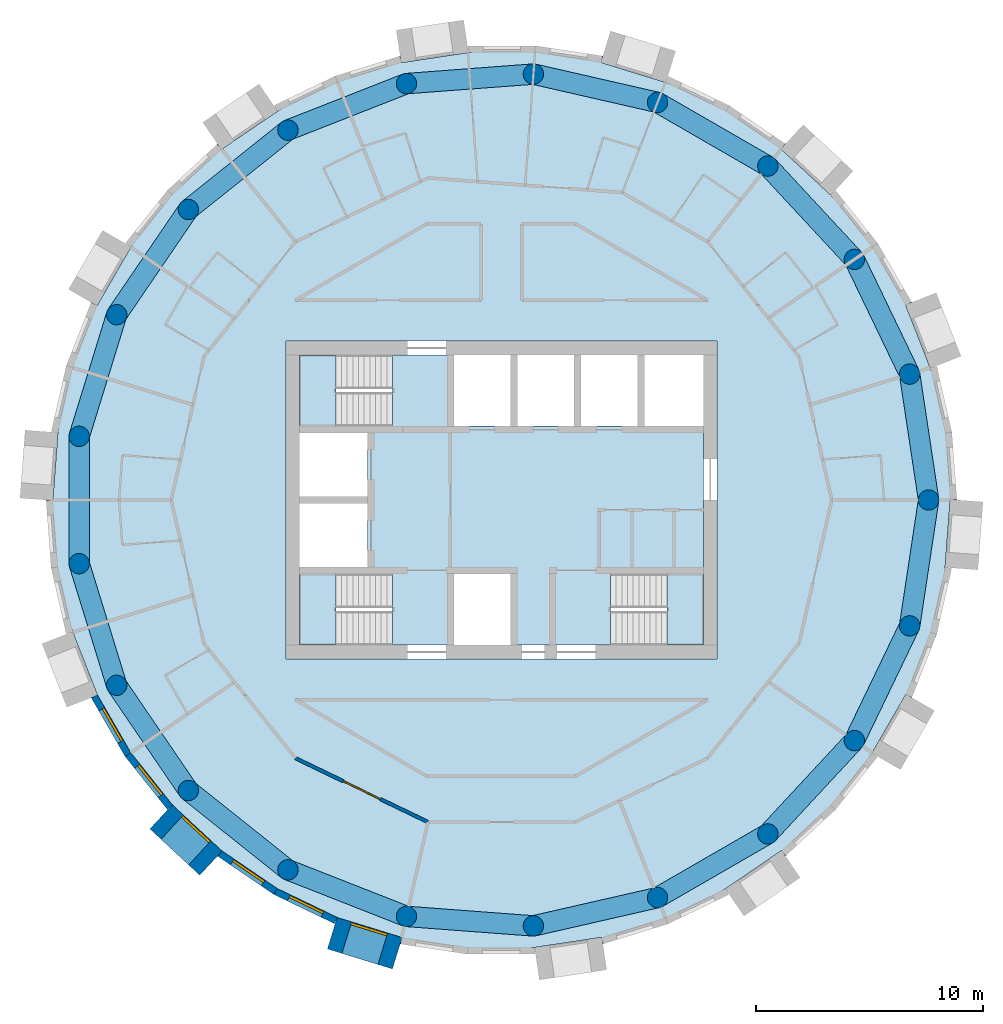
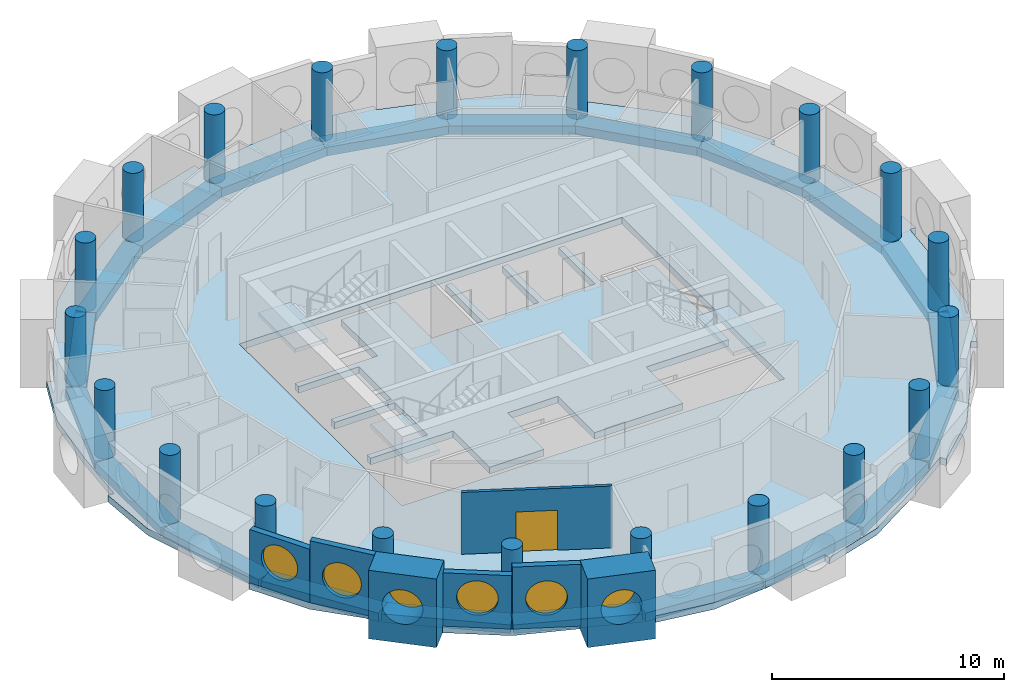
# One storey, part 1 of 12: 21 beams, 21 columns, 7 walls, 6 windows, 5 slabs, 1 door, 7 openings, 3 elements without a shape of their own.
"""IFC4 building model written with IfcOpenShell, lengths in metres."""

import ifcopenshell
import ifcopenshell.guid

model = None  # the IFC model being written
_history = None  # IfcOwnerHistory: only IFC2X3 demands one
_inside = {}  # id of a spatial element -> (the spatial element, [elements in it])
_under = {}  # id of a project, library or spatial element -> (it, [spatial elements below it])
_declared = {}  # id of a project -> (the project, [libraries it declares])
_typed = {}  # id of a type object -> (the type object, [elements of that type])
_made_of = {}  # id of a material, layer set ... -> (it, [elements and type objects made of it])


def new_model(schema):
    """Start an empty IFC model of exactly this schema.

    Asked for "IFC4X3", IfcOpenShell would pick the latest addendum, in which some entities
    have other attributes; the version numbers below select the first issue.
    IFC2X3 requires an IfcOwnerHistory on every rooted entity: one is made here for all.
    """
    global model, _history
    if schema == "IFC4X3":
        model = ifcopenshell.file(schema_version=(4, 3, 0, 0))
    else:
        model = ifcopenshell.file(schema=schema)
    _inside.clear()
    _under.clear()
    _declared.clear()
    _typed.clear()
    _made_of.clear()
    _history = None
    if model.schema == "IFC2X3":
        org = make("IfcOrganization", Name="unknown")
        user = make(
            "IfcPersonAndOrganization",
            ThePerson=make("IfcPerson", FamilyName="unknown"),
            TheOrganization=org,
        )
        app = make(
            "IfcApplication",
            ApplicationDeveloper=org,
            Version="unknown",
            ApplicationFullName="unknown",
            ApplicationIdentifier="unknown",
        )
        _history = make(
            "IfcOwnerHistory",
            OwningUser=user,
            OwningApplication=app,
            ChangeAction="ADDED",
            CreationDate=0,
        )
    return model


def make(cls, **values):
    """One entity of the class cls with the attributes given. An attribute that is None is left unset."""
    return model.create_entity(
        cls, **{name: value for name, value in values.items() if value is not None}
    )


def rooted(cls, **values):
    """An entity with a GlobalId (a new one), such as an element, a storey or a relation."""
    return make(cls, GlobalId=ifcopenshell.guid.new(), OwnerHistory=_history, **values)


def si_unit(unit_type, name, prefix=None):
    """IfcSIUnit, for example si_unit("LENGTHUNIT", "METRE", prefix="MILLI")."""
    return make("IfcSIUnit", UnitType=unit_type, Prefix=prefix, Name=name)


def assignment(units):
    """IfcUnitAssignment: the units of a project."""
    return None if units is None else make("IfcUnitAssignment", Units=units)


def point(xyz):
    """IfcCartesianPoint."""
    return None if xyz is None else make("IfcCartesianPoint", Coordinates=xyz)


def direction(xyz):
    """IfcDirection."""
    return None if xyz is None else make("IfcDirection", DirectionRatios=xyz)


def frame(location, z_axis=None, x_axis=None):
    """IfcAxis2Placement3D, a coordinate frame: its origin and axes. An axis left out is left unset."""
    return make(
        "IfcAxis2Placement3D",
        Location=point(location),
        Axis=direction(z_axis),
        RefDirection=direction(x_axis),
    )


def frame_2d(location, x_axis=None):
    """IfcAxis2Placement2D, a coordinate frame in the plane: its origin and x axis."""
    return make(
        "IfcAxis2Placement2D", Location=point(location), RefDirection=direction(x_axis)
    )


def origin():
    """The frame at (0, 0, 0) with its axes left unset."""
    return frame((0.0, 0.0, 0.0))


def origin_2d():
    """The frame at (0, 0) in the plane with its x axis left unset."""
    return frame_2d((0.0, 0.0))


def place(relative_to, where):
    """IfcLocalPlacement: puts the frame where relative to a parent placement (None: the world)."""
    return make(
        "IfcLocalPlacement", PlacementRelTo=relative_to, RelativePlacement=where
    )


def context(
    kind, dimensions, precision=None, world=None, true_north=None, identifier=None
):
    """IfcGeometricRepresentationContext, for example the 3D "Model" context."""
    return make(
        "IfcGeometricRepresentationContext",
        ContextIdentifier=identifier,
        ContextType=kind,
        CoordinateSpaceDimension=dimensions,
        Precision=precision,
        WorldCoordinateSystem=world,
        TrueNorth=true_north,
    )


def subcontext(parent, identifier, kind, view, scale=None):
    """IfcGeometricRepresentationSubContext, for example "Body" below "Model"."""
    return make(
        "IfcGeometricRepresentationSubContext",
        ContextIdentifier=identifier,
        ContextType=kind,
        ParentContext=parent,
        TargetScale=scale,
        TargetView=view,
    )


def project(units=None, contexts=None):
    """IfcProject with its units and contexts."""
    return rooted(
        "IfcProject",
        Name="project",
        RepresentationContexts=contexts,
        UnitsInContext=assignment(units),
    )


def spatial(cls, under=None, at=None, **own):
    """A site, building, storey or space (cls), placed at a placement, below another one or the project."""
    s = rooted(cls, ObjectPlacement=at, **own)
    if under is not None:
        _under.setdefault(under.id(), (under, []))[1].append(s)
    return s


def polyline(points):
    """IfcPolyline through the points."""
    return make("IfcPolyline", Points=[point(p) for p in points])


def profile(cls, at=None, kind="AREA", **sizes):
    """A parametric profile (cls). Its sizes go by their IFC names, for example OverallWidth=200.0."""
    return make(cls, ProfileType=kind, Position=at, **sizes)


def rectangle(**sizes):
    """IfcRectangleProfileDef."""
    return profile("IfcRectangleProfileDef", **sizes)


def circle(**sizes):
    """IfcCircleProfileDef."""
    return profile("IfcCircleProfileDef", **sizes)


def outline(outer, holes=None, kind="AREA"):
    """IfcArbitraryClosedProfileDef: a profile drawn as a closed curve; with holes, ...WithVoids."""
    if holes is None:
        return make("IfcArbitraryClosedProfileDef", ProfileType=kind, OuterCurve=outer)
    return make(
        "IfcArbitraryProfileDefWithVoids",
        ProfileType=kind,
        OuterCurve=outer,
        InnerCurves=holes,
    )


def extrude(swept, where, along, depth):
    """IfcExtrudedAreaSolid: the profile swept, set in the frame where, extruded along a direction by depth."""
    return make(
        "IfcExtrudedAreaSolid",
        SweptArea=swept,
        Position=where,
        ExtrudedDirection=direction(along),
        Depth=depth,
    )


def shape(context_of_items, identifier, shape_type, items):
    """IfcShapeRepresentation: the items that make up one representation, for example the "Body"."""
    return make(
        "IfcShapeRepresentation",
        ContextOfItems=context_of_items,
        RepresentationIdentifier=identifier,
        RepresentationType=shape_type,
        Items=items,
    )


def material(Name=None, Category=None):
    """IfcMaterial."""
    return make("IfcMaterial", Name=Name, Category=Category)


def layer(
    of_material, thickness, ventilated=None, Name=None, Category=None, Priority=None
):
    """IfcMaterialLayer: one layer of a wall or slab, of a material (None: an air gap)."""
    return make(
        "IfcMaterialLayer",
        Material=of_material,
        LayerThickness=thickness,
        IsVentilated=ventilated,
        Name=Name,
        Category=Category,
        Priority=Priority,
    )


def layer_set(layers, Name=None):
    """IfcMaterialLayerSet."""
    return make("IfcMaterialLayerSet", MaterialLayers=layers, LayerSetName=Name)


def material_profile(
    of_material, cross_section, Name=None, Category=None, Priority=None
):
    """IfcMaterialProfile: a cross section and its material."""
    return make(
        "IfcMaterialProfile",
        Name=Name,
        Material=of_material,
        Profile=cross_section,
        Priority=Priority,
        Category=Category,
    )


def profile_set(profiles, Name=None, composite=None):
    """IfcMaterialProfileSet."""
    return make(
        "IfcMaterialProfileSet",
        Name=Name,
        MaterialProfiles=profiles,
        CompositeProfile=composite,
    )


def made_of(thing, what):
    """Note that an element or type object is made of a material, layer set ...; save() writes the relation."""
    if what is not None:
        _made_of.setdefault(what.id(), (what, []))[1].append(thing)
    return thing


def type_object(cls, material=None, **own):
    """A type object (cls), such as IfcWallType, which elements share."""
    return made_of(rooted(cls, **own), material)


def element(
    cls,
    number,
    at=None,
    inside=None,
    cuts=None,
    type_object=None,
    material=None,
    context=None,
    identifier="Body",
    shape_type=None,
    held_by="IfcProductDefinitionShape",
    body=None,
    shapes=None,
    **own,
):
    """One element of the class cls, such as IfcWall. Its Tag is "e" and its number.

    at: its placement. inside: the storey or other place that contains it. cuts: it is an
    opening in that element (IfcRelVoidsElement). A single representation is given by context,
    identifier, shape_type and body (its items); several are given by shapes. held_by: the class
    of the entity that holds the representations. save() writes the other relations.
    """
    e = rooted(cls, Tag="e%d" % number, ObjectPlacement=at, **own)
    if body is not None:
        shapes = [shape(context, identifier, shape_type, body)]
    if shapes is not None:
        e.Representation = make(held_by, Representations=shapes)
    if inside is not None:
        _inside.setdefault(inside.id(), (inside, []))[1].append(e)
    if cuts is not None:
        rooted(
            "IfcRelVoidsElement", RelatingBuildingElement=cuts, RelatedOpeningElement=e
        )
    if type_object is not None:
        _typed.setdefault(type_object.id(), (type_object, []))[1].append(e)
    return made_of(e, material)


def fill(opening, filler):
    """IfcRelFillsElement: the door or window that sits in an opening."""
    return rooted(
        "IfcRelFillsElement",
        RelatingOpeningElement=opening,
        RelatedBuildingElement=filler,
    )


def aggregate(whole, parts):
    """IfcRelAggregates: a whole, such as a stair, and the parts it consists of."""
    return rooted("IfcRelAggregates", RelatingObject=whole, RelatedObjects=parts)


def save(model, path):
    """Write the relations noted so far, then the file.

    IfcRelAggregates (storeys below a building ...), IfcRelContainedInSpatialStructure (elements
    in a storey), IfcRelDefinesByType, IfcRelAssociatesMaterial and IfcRelDeclares: one each for
    every whole, place, type object, material and project.
    """
    for whole, parts in _under.values():
        aggregate(whole, parts)
    for where, things in _inside.values():
        rooted(
            "IfcRelContainedInSpatialStructure",
            RelatedElements=things,
            RelatingStructure=where,
        )
    for kind, things in _typed.values():
        rooted("IfcRelDefinesByType", RelatedObjects=things, RelatingType=kind)
    for what, things in _made_of.values():
        rooted("IfcRelAssociatesMaterial", RelatedObjects=things, RelatingMaterial=what)
    for by, libraries in _declared.values():
        rooted("IfcRelDeclares", RelatingContext=by, RelatedDefinitions=libraries)
    model.write(path)


model = new_model("IFC4")

# Units and contexts
model_context = context("Model", 3, precision=1e-05, world=origin(), true_north=direction((0.0, 1.0)))
body_context = subcontext(model_context, "Body", "Model", "MODEL_VIEW")
ifc_project = project(units=[si_unit("LENGTHUNIT", "METRE"), si_unit("AREAUNIT", "SQUARE_METRE"), si_unit("VOLUMEUNIT", "CUBIC_METRE"), si_unit("PLANEANGLEUNIT", "RADIAN"), si_unit("MASSUNIT", "GRAM", prefix="KILO")], contexts=[model_context])

# Site, building, storey
site_placement = place(None, origin())
site = spatial("IfcSite", under=ifc_project, at=site_placement, CompositionType="ELEMENT")
building_placement = place(site_placement, origin())
building = spatial("IfcBuilding", under=site, at=building_placement, Name="Tracery Tower", CompositionType="ELEMENT")
storey_placement = place(building_placement, frame((0.0, 0.0, 305.39990234375)))
storey = spatial("IfcBuildingStorey", under=building, at=storey_placement, Name="L79", CompositionType="ELEMENT", Elevation=305.39990234375)

# Columns
ifc_material_1 = material(Name="Concrete C40/50", Category="concrete")
ifc_material_profile_1 = material_profile(ifc_material_1, circle(Radius=0.449951171875, at=origin_2d()), Name="RC D900")
ifc_profile_set_1 = profile_set([ifc_material_profile_1], Name="Concrete C40/50")
column_type = type_object("IfcColumnType", Name="Ring 2 column 900", PredefinedType="COLUMN", material=ifc_profile_set_1)
for number, where, z_axis, x_axis, name in (
    (1, (18.822265625, 0.0, 0.0), (0.0, 0.0, 1.0), (1.0, 0.0, 0.0), "Ring 2 column 00 at L79"),
    (2, (17.986083984375, 5.5478515625, 0.0), (0.0, 0.0, 1.0), (1.0, 0.0, 0.0), "Ring 2 column 01 at L79"),
    (3, (15.551513671875, 10.602783203125, 0.0), (0.0, 0.0, 1.0), (1.0, 0.0, 0.0), "Ring 2 column 02 at L79"),
    (4, (11.7353515625, 14.7158203125, 0.0), (0.0, 0.0, 1.0), (1.0, 0.0, 0.0), "Ring 2 column 03 at L79"),
    (5, (6.87646484375, 17.52099609375, 0.0), (0.0, 0.0, 1.0), (1.0, 0.0, 0.0), "Ring 2 column 04 at L79"),
    (6, (1.406494140625, 18.76953125, 0.0), (0.0, 0.0, 1.0), (1.0, 0.0, 0.0), "Ring 2 column 05 at L79"),
    (7, (-4.188232421875, 18.350341796875, 0.0), (0.0, 0.0, 1.0), (1.0, 0.0, 0.0), "Ring 2 column 06 at L79"),
    (8, (-9.4111328125, 16.300537109375, 0.0), (0.0, 0.0, 1.0), (1.0, 0.0, 0.0), "Ring 2 column 07 at L79"),
    (9, (-13.797607421875, 12.802490234375, 0.0), (0.0, 0.0, 1.0), (1.0, 0.0, 0.0), "Ring 2 column 08 at L79"),
    (10, (-16.958251953125, 8.16650390625, 0.0), (0.0, 0.0, 1.0), (1.0, 0.0, 0.0), "Ring 2 column 09 at L79"),
    (11, (-18.612060546875, 2.805419921875, 0.0), (0.0, 0.0, 1.0), (1.0, 0.0, 0.0), "Ring 2 column 10 at L79"),
    (12, (-18.612060546875, -2.805419921875, 0.0), (0.0, 0.0, 1.0), (1.0, 0.0, 0.0), "Ring 2 column 11 at L79"),
    (13, (-16.958251953125, -8.166748046875, 0.0), (0.0, 0.0, 1.0), (1.0, 0.0, 0.0), "Ring 2 column 12 at L79"),
    (14, (-13.797607421875, -12.80224609375, 0.0), (0.0, 0.0, 1.0), (1.0, 0.0, 0.0), "Ring 2 column 13 at L79"),
    (15, (-9.4111328125, -16.300537109375, 0.0), (0.0, 0.0, 1.0), (1.0, 0.0, 0.0), "Ring 2 column 14 at L79"),
    (16, (-4.188232421875, -18.350341796875, 0.0), (0.0, 0.0, 1.0), (1.0, 0.0, 0.0), "Ring 2 column 15 at L79"),
    (17, (1.406494140625, -18.76953125, 0.0), (0.0, 0.0, 1.0), (1.0, 0.0, 0.0), "Ring 2 column 16 at L79"),
    (18, (6.87646484375, -17.52099609375, 0.0), (0.0, 0.0, 1.0), (1.0, 0.0, 0.0), "Ring 2 column 17 at L79"),
    (19, (11.7353515625, -14.7158203125, 0.0), (0.0, 0.0, 1.0), (1.0, 0.0, 0.0), "Ring 2 column 18 at L79"),
    (20, (15.551513671875, -10.602783203125, 0.0), (0.0, 0.0, 1.0), (1.0, 0.0, 0.0), "Ring 2 column 19 at L79"),
    (21, (17.986083984375, -5.5478515625, 0.0), (0.0, 0.0, 1.0), (1.0, 0.0, 0.0), "Ring 2 column 20 at L79"),
):
    element("IfcColumn", number, at=place(storey_placement, frame(where, z_axis=z_axis, x_axis=x_axis)), inside=storey, type_object=column_type, Name=name, PredefinedType="COLUMN", context=body_context, shape_type="SweptSolid", body=[
        extrude(circle(Radius=0.449951171875, at=origin_2d()), origin(), (0.0, 0.0, 1.0), 3.60009765625),
    ])

# Beams
ifc_material_2 = material(Name="Concrete C40/50", Category="concrete")
ifc_material_profile_2 = material_profile(ifc_material_2, rectangle(XDim=0.89990234375, YDim=0.449951171875, at=origin_2d()), Name="RC 900x450")
ifc_profile_set_2 = profile_set([ifc_material_profile_2], Name="Concrete C40/50")
beam_type = type_object("IfcBeamType", Name="Perimeter band beam 900x450", PredefinedType="BEAM", material=ifc_profile_set_2)
for number, where, z_axis, x_axis, name in (
    (22, (18.822265625, 0.0, -0.574951171875), (-0.149038355855, 0.988831415603, 0.0), (-0.988831415603, -0.149038355855, 0.0), "Perimeter beam 2.00 under L79"),
    (23, (17.986083984375, 5.5478515625, -0.574951171875), (-0.433918973155, 0.900951899235, 0.0), (-0.900951899235, -0.433918973155, 0.0), "Perimeter beam 2.01 under L79"),
):
    element("IfcBeam", number, at=place(storey_placement, frame(where, z_axis=z_axis, x_axis=x_axis)), inside=storey, type_object=beam_type, Name=name, PredefinedType="BEAM", context=body_context, shape_type="SweptSolid", body=[
        extrude(rectangle(XDim=0.89990234375, YDim=0.449951171875, at=origin_2d()), origin(), (0.0, 0.0, 1.0), 5.610595703125),
    ])
beam_1_placement = place(storey_placement, frame((15.551513671875, 10.602783203125, -0.574951171875), z_axis=(-0.680155630824, 0.733067744386, 0.0), x_axis=(-0.733067744386, -0.680155630824, 0.0)))
element("IfcBeam", 24, at=beam_1_placement, inside=storey, type_object=beam_type, Name="Perimeter beam 2.02 under L79", PredefinedType="BEAM", context=body_context, shape_type="SweptSolid", body=[
    extrude(rectangle(XDim=0.89990234375, YDim=0.449951171875, at=origin_2d()), origin(), (0.0, 0.0, 1.0), 5.61083984375),
])
for number, where, z_axis, x_axis, name in (
    (25, (11.7353515625, 14.7158203125, -0.574951171875), (-0.866033412818, 0.49998612769, 0.0), (-0.49998612769, -0.866033412818, 0.0), "Perimeter beam 2.03 under L79"),
    (26, (6.87646484375, 17.52099609375, -0.574951171875), (-0.974925977366, 0.222529410768, 0.0), (-0.222529410768, -0.974925977366, 0.0), "Perimeter beam 2.04 under L79"),
):
    element("IfcBeam", number, at=place(storey_placement, frame(where, z_axis=z_axis, x_axis=x_axis)), inside=storey, type_object=beam_type, Name=name, PredefinedType="BEAM", context=body_context, shape_type="SweptSolid", body=[
        extrude(rectangle(XDim=0.89990234375, YDim=0.449951171875, at=origin_2d()), origin(), (0.0, 0.0, 1.0), 5.610595703125),
    ])
beam_2_placement = place(storey_placement, frame((1.406494140625, 18.76953125, -0.574951171875), z_axis=(-0.997204824387, -0.07471638521, 0.0), x_axis=(0.07471638521, -0.997204824387, 0.0)))
element("IfcBeam", 27, at=beam_2_placement, inside=storey, type_object=beam_type, Name="Perimeter beam 2.05 under L79", PredefinedType="BEAM", context=body_context, shape_type="SweptSolid", body=[
    extrude(rectangle(XDim=0.89990234375, YDim=0.449951171875, at=origin_2d()), origin(), (0.0, 0.0, 1.0), 5.6103515625),
])
beam_3_placement = place(storey_placement, frame((-4.188232421875, 18.350341796875, -0.574951171875), z_axis=(-0.930875728468, -0.365335979817, 0.0), x_axis=(0.365335979817, -0.930875728468, 0.0)))
element("IfcBeam", 28, at=beam_3_placement, inside=storey, type_object=beam_type, Name="Perimeter beam 2.06 under L79", PredefinedType="BEAM", context=body_context, shape_type="SweptSolid", body=[
    extrude(rectangle(XDim=0.89990234375, YDim=0.449951171875, at=origin_2d()), origin(), (0.0, 0.0, 1.0), 5.61083984375),
])
beam_4_placement = place(storey_placement, frame((-9.4111328125, 16.300537109375, -0.574951171875), z_axis=(-0.781835817725, -0.623484365579, 0.0), x_axis=(0.623484365579, -0.781835817725, 0.0)))
element("IfcBeam", 29, at=beam_4_placement, inside=storey, type_object=beam_type, Name="Perimeter beam 2.07 under L79", PredefinedType="BEAM", context=body_context, shape_type="SweptSolid", body=[
    extrude(rectangle(XDim=0.89990234375, YDim=0.449951171875, at=origin_2d()), origin(), (0.0, 0.0, 1.0), 5.610595703125),
])
beam_5_placement = place(storey_placement, frame((-13.797607421875, 12.802490234375, -0.574951171875), z_axis=(-0.563305770578, -0.826248515178, 0.0), x_axis=(0.826248515178, -0.563305770578, 0.0)))
element("IfcBeam", 30, at=beam_5_placement, inside=storey, type_object=beam_type, Name="Perimeter beam 2.08 under L79", PredefinedType="BEAM", context=body_context, shape_type="SweptSolid", body=[
    extrude(rectangle(XDim=0.89990234375, YDim=0.449951171875, at=origin_2d()), origin(), (0.0, 0.0, 1.0), 5.61083984375),
])
beam_6_placement = place(storey_placement, frame((-16.958251953125, 8.16650390625, -0.574951171875), z_axis=(-0.294776851839, -0.955566118916, 0.0), x_axis=(0.955566118916, -0.294776851839, 0.0)))
element("IfcBeam", 31, at=beam_6_placement, inside=storey, type_object=beam_type, Name="Perimeter beam 2.09 under L79", PredefinedType="BEAM", context=body_context, shape_type="SweptSolid", body=[
    extrude(rectangle(XDim=0.89990234375, YDim=0.449951171875, at=origin_2d()), origin(), (0.0, 0.0, 1.0), 5.6103515625),
])
beam_7_placement = place(storey_placement, frame((-18.612060546875, 2.805419921875, -0.574951171875), z_axis=(0.0, -1.0, 0.0), x_axis=(1.0, 0.0, 0.0)))
element("IfcBeam", 32, at=beam_7_placement, inside=storey, type_object=beam_type, Name="Perimeter beam 2.10 under L79", PredefinedType="BEAM", context=body_context, shape_type="SweptSolid", body=[
    extrude(rectangle(XDim=0.89990234375, YDim=0.449951171875, at=origin_2d()), origin(), (0.0, 0.0, 1.0), 5.61083984375),
])
for number, where, z_axis, x_axis, name in (
    (33, (-18.612060546875, -2.805419921875, -0.574951171875), (0.294764594813, -0.955569899926, 0.0), (0.955569899926, 0.294764594813, 0.0), "Perimeter beam 2.11 under L79"),
    (34, (-16.958251953125, -8.166748046875, -0.574951171875), (0.5633462764, -0.826220898348, 0.0), (0.826220898348, 0.5633462764, 0.0), "Perimeter beam 2.12 under L79"),
    (35, (-13.797607421875, -12.80224609375, -0.574951171875), (0.781814605872, -0.623510963853, 0.0), (0.623510963853, 0.781814605872, 0.0), "Perimeter beam 2.13 under L79"),
):
    element("IfcBeam", number, at=place(storey_placement, frame(where, z_axis=z_axis, x_axis=x_axis)), inside=storey, type_object=beam_type, Name=name, PredefinedType="BEAM", context=body_context, shape_type="SweptSolid", body=[
        extrude(rectangle(XDim=0.89990234375, YDim=0.449951171875, at=origin_2d()), origin(), (0.0, 0.0, 1.0), 5.610595703125),
    ])
beam_8_placement = place(storey_placement, frame((-9.4111328125, -16.300537109375, -0.574951171875), z_axis=(0.930875728468, -0.365335979817, 0.0), x_axis=(0.365335979817, 0.930875728468, 0.0)))
element("IfcBeam", 36, at=beam_8_placement, inside=storey, type_object=beam_type, Name="Perimeter beam 2.14 under L79", PredefinedType="BEAM", context=body_context, shape_type="SweptSolid", body=[
    extrude(rectangle(XDim=0.89990234375, YDim=0.449951171875, at=origin_2d()), origin(), (0.0, 0.0, 1.0), 5.61083984375),
])
beam_9_placement = place(storey_placement, frame((-4.188232421875, -18.350341796875, -0.574951171875), z_axis=(0.997204824387, -0.07471638521, 0.0), x_axis=(0.07471638521, 0.997204824387, 0.0)))
element("IfcBeam", 37, at=beam_9_placement, inside=storey, type_object=beam_type, Name="Perimeter beam 2.15 under L79", PredefinedType="BEAM", context=body_context, shape_type="SweptSolid", body=[
    extrude(rectangle(XDim=0.89990234375, YDim=0.449951171875, at=origin_2d()), origin(), (0.0, 0.0, 1.0), 5.6103515625),
])
for number, where, z_axis, x_axis, name in (
    (38, (1.406494140625, -18.76953125, -0.574951171875), (0.974925977366, 0.222529410768, 0.0), (-0.222529410768, 0.974925977366, 0.0), "Perimeter beam 2.16 under L79"),
    (39, (6.87646484375, -17.52099609375, -0.574951171875), (0.866033412818, 0.49998612769, 0.0), (-0.49998612769, 0.866033412818, 0.0), "Perimeter beam 2.17 under L79"),
):
    element("IfcBeam", number, at=place(storey_placement, frame(where, z_axis=z_axis, x_axis=x_axis)), inside=storey, type_object=beam_type, Name=name, PredefinedType="BEAM", context=body_context, shape_type="SweptSolid", body=[
        extrude(rectangle(XDim=0.89990234375, YDim=0.449951171875, at=origin_2d()), origin(), (0.0, 0.0, 1.0), 5.610595703125),
    ])
beam_10_placement = place(storey_placement, frame((11.7353515625, -14.7158203125, -0.574951171875), z_axis=(0.680155630824, 0.733067744386, 0.0), x_axis=(-0.733067744386, 0.680155630824, 0.0)))
element("IfcBeam", 40, at=beam_10_placement, inside=storey, type_object=beam_type, Name="Perimeter beam 2.18 under L79", PredefinedType="BEAM", context=body_context, shape_type="SweptSolid", body=[
    extrude(rectangle(XDim=0.89990234375, YDim=0.449951171875, at=origin_2d()), origin(), (0.0, 0.0, 1.0), 5.61083984375),
])
for number, where, z_axis, x_axis, name in (
    (41, (15.551513671875, -10.602783203125, -0.574951171875), (0.433918973155, 0.900951899235, 0.0), (-0.900951899235, 0.433918973155, 0.0), "Perimeter beam 2.19 under L79"),
    (42, (17.986083984375, -5.5478515625, -0.574951171875), (0.149038355855, 0.988831415603, 0.0), (-0.988831415603, 0.149038355855, 0.0), "Perimeter beam 2.20 under L79"),
):
    element("IfcBeam", number, at=place(storey_placement, frame(where, z_axis=z_axis, x_axis=x_axis)), inside=storey, type_object=beam_type, Name=name, PredefinedType="BEAM", context=body_context, shape_type="SweptSolid", body=[
        extrude(rectangle(XDim=0.89990234375, YDim=0.449951171875, at=origin_2d()), origin(), (0.0, 0.0, 1.0), 5.610595703125),
    ])

# Slabs
ifc_material_3 = material(Name="Concrete C40/50", Category="concrete")
ifc_layer_1 = layer(ifc_material_3, 0.35009765625)
ifc_layer_set_1 = layer_set([ifc_layer_1], Name="Core floor slab 350 C40")
slab_type_1 = type_object("IfcSlabType", Name="Core floor slab 350 C40", PredefinedType="FLOOR", material=ifc_layer_set_1)
slab_1_placement = place(storey_placement, frame((0.0, 0.0, -0.349853515625)))
element("IfcSlab", 43, at=slab_1_placement, inside=storey, type_object=slab_type_1, Name="L79 core floor 1", PredefinedType="FLOOR", context=body_context, shape_type="SweptSolid", body=[
    extrude(outline(polyline([(-4.800537109375, -3.25), (-8.89990234375, -3.25), (-8.89990234375, -2.949951171875), (-5.89990234375, -2.949951171875), (-5.89990234375, -0.14990234375), (-8.89990234375, -0.14990234375), (-8.89990234375, 0.14990234375), (-5.89990234375, 0.14990234375), (-5.89990234375, 2.949951171875), (-8.89990234375, 2.949951171875), (-8.89990234375, 3.25), (-4.800537109375, 3.25), (-4.800537109375, 6.39990234375), (-2.10009765625, 6.39990234375), (-2.10009765625, 3.25), (0.39990234375, 3.25), (0.39990234375, 6.39990234375), (0.699951171875, 6.39990234375), (0.699951171875, 3.25), (3.199951171875, 3.25), (3.199951171875, 6.39990234375), (3.5, 6.39990234375), (3.5, 3.25), (6.0, 3.25), (6.0, 6.39990234375), (6.300048828125, 6.39990234375), (6.300048828125, 3.25), (8.89990234375, 3.25), (8.89990234375, -3.25), (4.800537109375, -3.25), (4.800537109375, -6.39990234375), (0.39990234375, -6.39990234375), (0.39990234375, -3.25), (-2.10009765625, -3.25), (-2.10009765625, -6.39990234375), (-4.800537109375, -6.39990234375), (-4.800537109375, -3.25)])), origin(), (0.0, 0.0, 1.0), 0.349853515625),
])
ifc_material_4 = material(Name="Concrete C40/50", Category="concrete")
ifc_layer_2 = layer(ifc_material_4, 0.35009765625)
ifc_layer_set_2 = layer_set([ifc_layer_2], Name="Floor slab 350")
slab_type_2 = type_object("IfcSlabType", Name="Floor slab 350", PredefinedType="FLOOR", material=ifc_layer_set_2)
slab_2_placement = place(storey_placement, frame((0.0, 0.0, -0.349853515625)))
element("IfcSlab", 44, at=slab_2_placement, inside=storey, type_object=slab_type_2, Name="Floor slab L79", PredefinedType="FLOOR", context=body_context, shape_type="SweptSolid", body=[
    extrude(outline(polyline([(18.89306640625, 5.827392578125), (17.80517578125, 8.599365234375), (18.084228515625, 8.708984375), (18.08447265625, 8.708984375), (16.58447265625, 11.30712890625), (14.493408203125, 13.447998046875), (12.3271484375, 15.4580078125), (12.3271484375, 15.4580078125), (12.310791015625, 15.47314453125), (12.5146484375, 15.69287109375), (12.514892578125, 15.693115234375), (10.0361328125, 17.383056640625), (7.223388671875, 18.404541015625), (4.3994140625, 19.275634765625), (4.3994140625, 19.275634765625), (4.378173828125, 19.2822265625), (4.466552734375, 19.56884765625), (1.5, 20.01611328125), (-1.47705078125, 19.716064453125), (-2.3466796875, 19.585205078125), (-4.3994140625, 19.275634765625), (-4.3994140625, 19.275634765625), (-4.421875, 19.272216796875), (-4.46630859375, 19.568603515625), (-4.466552734375, 19.56884765625), (-7.333251953125, 18.684814453125), (-9.885498046875, 17.12255859375), (-12.345703125, 15.4453125), (-12.514892578125, 15.693115234375), (-14.714111328125, 13.652587890625), (-16.335693359375, 11.13818359375), (-17.82470703125, 8.55908203125), (-18.08447265625, 8.708984375), (-19.180419921875, 5.91650390625), (-19.550537109375, 2.94677734375), (-19.63720703125, 1.789306640625), (-19.77294921875, -0.0224609375), (-20.072265625, 0.0), (-20.072265625, 0.0), (-19.847900390625, -2.99169921875), (-18.89306640625, -5.827392578125), (-17.80517578125, -8.599365234375), (-18.084228515625, -8.708984375), (-18.08447265625, -8.708984375), (-16.58447265625, -11.30712890625), (-14.493408203125, -13.447998046875), (-12.3271484375, -15.4580078125), (-12.3271484375, -15.4580078125), (-12.310791015625, -15.47314453125), (-12.5146484375, -15.69287109375), (-12.514892578125, -15.693115234375), (-10.0361328125, -17.383056640625), (-7.223388671875, -18.404541015625), (-4.3994140625, -19.275634765625), (-4.3994140625, -19.275634765625), (-4.378173828125, -19.2822265625), (-4.466552734375, -19.56884765625), (-1.5, -20.01611328125), (1.47705078125, -19.716064453125), (2.3466796875, -19.585205078125), (4.3994140625, -19.275634765625), (4.3994140625, -19.275634765625), (4.421875, -19.272216796875), (4.46630859375, -19.568603515625), (4.466552734375, -19.56884765625), (7.333251953125, -18.684814453125), (9.885498046875, -17.12255859375), (12.345703125, -15.4453125), (12.514892578125, -15.693115234375), (14.714111328125, -13.652587890625), (16.335693359375, -11.13818359375), (17.82470703125, -8.55908203125), (18.08447265625, -8.708984375), (19.180419921875, -5.91650390625), (19.550537109375, -2.94677734375), (19.63720703125, -1.789306640625), (19.77294921875, 0.0224609375), (20.072265625, 0.0), (19.847900390625, 2.99169921875), (18.89306640625, 5.827392578125)]), holes=[polyline([(-9.5, -7.0), (9.5, -7.0), (9.5, 7.0), (-9.5, 7.0), (-9.5, -7.0)])]), origin(), (0.0, 0.0, 1.0), 0.349853515625),
])

# Stair, slab
ifc_material_5 = material(Name="Concrete C32/40", Category="concrete")
stair_type = type_object("IfcStairType", Name="Core stair 22 risers", PredefinedType="HALF_TURN_STAIR", material=ifc_material_5)
stair_1_placement = place(storey_placement, origin())
stair_1 = element("IfcStair", 45, at=stair_1_placement, inside=storey, type_object=stair_type, Name="L79 stair ST1", PredefinedType="HALF_TURN_STAIR")
ifc_material_6 = material(Name="Concrete C32/40", Category="concrete")
ifc_layer_3 = layer(ifc_material_6, 0.199951171875)
ifc_layer_set_3 = layer_set([ifc_layer_3], Name="Stair landing slab 200")
slab_type_3 = type_object("IfcSlabType", Name="Stair landing slab 200", PredefinedType="LANDING", material=ifc_layer_set_3)
slab_3_placement = place(storey_placement, frame((0.0, 0.0, 1.60009765625)))
slab_3 = element("IfcSlab", 46, at=slab_3_placement, type_object=slab_type_3, Name="ST1 landing 1", PredefinedType="LANDING", context=body_context, shape_type="SweptSolid", body=[
    extrude(outline(polyline([(-7.29931640625, -3.25), (-8.89990234375, -3.25), (-8.89990234375, -6.39990234375), (-7.29931640625, -6.39990234375), (-7.29931640625, -3.25)])), origin(), (0.0, 0.0, 1.0), 0.199951171875),
])
aggregate(stair_1, [slab_3])

stair_2_placement = place(storey_placement, origin())
stair_2 = element("IfcStair", 47, at=stair_2_placement, inside=storey, type_object=stair_type, Name="L79 stair ST3", PredefinedType="HALF_TURN_STAIR")
slab_4_placement = place(storey_placement, frame((0.0, 0.0, 1.60009765625)))
slab_4 = element("IfcSlab", 48, at=slab_4_placement, type_object=slab_type_3, Name="ST3 landing 1", PredefinedType="LANDING", context=body_context, shape_type="SweptSolid", body=[
    extrude(outline(polyline([(-7.29931640625, 6.39990234375), (-8.89990234375, 6.39990234375), (-8.89990234375, 3.25), (-7.29931640625, 3.25), (-7.29931640625, 6.39990234375)])), origin(), (0.0, 0.0, 1.0), 0.199951171875),
])
aggregate(stair_2, [slab_4])

stair_3_placement = place(storey_placement, origin())
stair_3 = element("IfcStair", 49, at=stair_3_placement, inside=storey, type_object=stair_type, Name="L79 stair ST2", PredefinedType="HALF_TURN_STAIR")
slab_5_placement = place(storey_placement, frame((0.0, 0.0, 1.60009765625)))
slab_5 = element("IfcSlab", 50, at=slab_5_placement, type_object=slab_type_3, Name="ST2 landing 1", PredefinedType="LANDING", context=body_context, shape_type="SweptSolid", body=[
    extrude(outline(polyline([(7.29931640625, -6.39990234375), (8.89990234375, -6.39990234375), (8.89990234375, -3.25), (7.29931640625, -3.25), (7.29931640625, -6.39990234375)])), origin(), (0.0, 0.0, 1.0), 0.199951171875),
])
aggregate(stair_3, [slab_5])

# Wall, opening, window
ifc_material_7 = material(Name="Precast concrete C50/60", Category="concrete")
ifc_layer_4 = layer(ifc_material_7, 1.449951171875)
ifc_layer_set_4 = layer_set([ifc_layer_4], Name="Deep-set bay unit 3000 x 3600, slab edge 350")
wall_type_1 = type_object("IfcWallType", Name="Deep-set bay unit 3000 x 3600, slab edge 350", PredefinedType="ELEMENTEDWALL", material=ifc_layer_set_4)
wall_1_placement = place(storey_placement, frame((-15.0029296875, -13.964111328125, -0.349853515625), z_axis=(0.0, 0.0, 1.0), x_axis=(0.733022439167, -0.680204457261, 0.0)))
wall_1 = element("IfcWall", 51, at=wall_1_placement, inside=storey, type_object=wall_type_1, Name="Deep-set bay unit 27 at L79", PredefinedType="ELEMENTEDWALL", context=body_context, shape_type="SweptSolid", body=[
    extrude(rectangle(XDim=2.999755859375, YDim=1.449951171875, at=frame_2d((1.5, 0.0))), origin(), (0.0, 0.0, 1.0), 3.599853515625),
])
opening_1_placement = place(wall_1_placement, frame((1.5, 0.0, 1.89990234375)))
opening_1 = element("IfcOpeningElement", 52, at=opening_1_placement, cuts=wall_1, Name="Opening WN1", PredefinedType="OPENING", context=body_context, shape_type="SweptSolid", body=[
    extrude(circle(Radius=0.9000244140625, at=origin_2d()), frame((0.0, 0.73486328125, 0.0), z_axis=(0.0, -1.0, 0.0), x_axis=(1.0, 0.0, 0.0)), (0.0, 0.0, 1.0), 1.469970703125),
])
ifc_material_8 = material(Name="Aluminium frame with tinted double glazing", Category="aluminium")
window_type = type_object("IfcWindowType", Name="Round window 1800", PartitioningType="SINGLE_PANEL", PredefinedType="WINDOW", material=ifc_material_8)
window_1_placement = place(opening_1_placement, origin())
window_1 = element("IfcWindow", 53, at=window_1_placement, inside=storey, type_object=window_type, Name="Round window 27 at L79", OverallHeight=1.800048828125, OverallWidth=1.800048828125, PartitioningType="SINGLE_PANEL", PredefinedType="WINDOW", context=body_context, shape_type="SweptSolid", body=[
    extrude(circle(Radius=0.9000244140625, at=origin_2d()), frame((0.0, 0.69482421875, 0.0), z_axis=(0.0, -1.0, 0.0), x_axis=(1.0, 0.0, 0.0)), (0.0, 0.0, 1.0), 0.10009765625),
])
fill(opening_1, window_1)

wall_2_placement = place(storey_placement, frame((-7.45849609375, -19.0908203125, -0.349853515625), z_axis=(0.0, 0.0, 1.0), x_axis=(0.955571139978, -0.294760574774, 0.0)))
wall_2 = element("IfcWall", 54, at=wall_2_placement, inside=storey, type_object=wall_type_1, Name="Deep-set bay unit 30 at L79", PredefinedType="ELEMENTEDWALL", context=body_context, shape_type="SweptSolid", body=[
    extrude(rectangle(XDim=3.0, YDim=1.449951171875, at=frame_2d((1.5, 0.0))), origin(), (0.0, 0.0, 1.0), 3.599853515625),
])
opening_2_placement = place(wall_2_placement, frame((1.5, 0.0, 1.89990234375)))
opening_2 = element("IfcOpeningElement", 55, at=opening_2_placement, cuts=wall_2, Name="Opening WN1", PredefinedType="OPENING", context=body_context, shape_type="SweptSolid", body=[
    extrude(circle(Radius=0.9000244140625, at=origin_2d()), frame((0.0, 0.73486328125, 0.0), z_axis=(0.0, -1.0, 0.0), x_axis=(1.0, 0.0, 0.0)), (0.0, 0.0, 1.0), 1.469970703125),
])
window_2_placement = place(opening_2_placement, origin())
window_2 = element("IfcWindow", 56, at=window_2_placement, inside=storey, type_object=window_type, Name="Round window 30 at L79", OverallHeight=1.800048828125, OverallWidth=1.800048828125, PartitioningType="SINGLE_PANEL", PredefinedType="WINDOW", context=body_context, shape_type="SweptSolid", body=[
    extrude(circle(Radius=0.9000244140625, at=origin_2d()), frame((0.0, 0.69482421875, 0.0), z_axis=(0.0, -1.0, 0.0), x_axis=(1.0, 0.0, 0.0)), (0.0, 0.0, 1.0), 0.10009765625),
])
fill(opening_2, window_2)

ifc_material_9 = material(Name="Precast concrete C50/60", Category="concrete")
ifc_layer_5 = layer(ifc_material_9, 0.300048828125)
ifc_layer_set_5 = layer_set([ifc_layer_5], Name="Facade panel 3000 x 2800")
wall_type_2 = type_object("IfcWallType", Name="Facade panel 3000 x 2800", PredefinedType="SOLIDWALL", material=ifc_layer_set_5)
wall_3_placement = place(storey_placement, frame((-17.941162109375, -8.656982421875, 0.0), z_axis=(0.0, 0.0, 1.0), x_axis=(0.499950756475, -0.86605383268, 0.0)))
wall_3 = element("IfcWall", 57, at=wall_3_placement, inside=storey, type_object=wall_type_2, Name="Facade panel 25 at L79", PredefinedType="SOLIDWALL", context=body_context, shape_type="SweptSolid", body=[
    extrude(rectangle(XDim=2.962158203125, YDim=0.300048828125, at=frame_2d((1.48095703125, 0.0))), origin(), (0.0, 0.0, 1.0), 2.800048828125),
])
opening_3_placement = place(wall_3_placement, frame((1.48095703125, 0.0, 1.5498046875)))
opening_3 = element("IfcOpeningElement", 58, at=opening_3_placement, cuts=wall_3, Name="Opening WN1", PredefinedType="OPENING", context=body_context, shape_type="SweptSolid", body=[
    extrude(circle(Radius=0.9000244140625, at=origin_2d()), frame((0.0, 0.159912109375, 0.0), z_axis=(0.0, -1.0, 0.0), x_axis=(1.0, 0.0, 0.0)), (0.0, 0.0, 1.0), 0.320068359375),
])
window_3_placement = place(opening_3_placement, origin())
window_3 = element("IfcWindow", 59, at=window_3_placement, inside=storey, type_object=window_type, Name="Round window 25 at L79", OverallHeight=1.800048828125, OverallWidth=1.800048828125, PartitioningType="SINGLE_PANEL", PredefinedType="WINDOW", context=body_context, shape_type="SweptSolid", body=[
    extrude(circle(Radius=0.9000244140625, at=origin_2d()), frame((0.0, 0.1201171875, 0.0), z_axis=(0.0, -1.0, 0.0), x_axis=(1.0, 0.0, 0.0)), (0.0, 0.0, 1.0), 0.10009765625),
])
fill(opening_3, window_3)

wall_4_placement = place(storey_placement, frame((-12.408447265625, -15.583984375, 0.0), z_axis=(0.0, 0.0, 1.0), x_axis=(0.826236061068, -0.563324037646, 0.0)))
wall_4 = element("IfcWall", 60, at=wall_4_placement, inside=storey, type_object=wall_type_2, Name="Facade panel 28 at L79", PredefinedType="SOLIDWALL", context=body_context, shape_type="SweptSolid", body=[
    extrude(rectangle(XDim=2.962158203125, YDim=0.300048828125, at=frame_2d((1.48095703125, 0.0))), origin(), (0.0, 0.0, 1.0), 2.800048828125),
])
opening_4_placement = place(wall_4_placement, frame((1.48095703125, 0.0, 1.5498046875)))
opening_4 = element("IfcOpeningElement", 61, at=opening_4_placement, cuts=wall_4, Name="Opening WN1", PredefinedType="OPENING", context=body_context, shape_type="SweptSolid", body=[
    extrude(circle(Radius=0.9000244140625, at=origin_2d()), frame((0.0, 0.159912109375, 0.0), z_axis=(0.0, -1.0, 0.0), x_axis=(1.0, 0.0, 0.0)), (0.0, 0.0, 1.0), 0.320068359375),
])
window_4_placement = place(opening_4_placement, origin())
window_4 = element("IfcWindow", 62, at=window_4_placement, inside=storey, type_object=window_type, Name="Round window 28 at L79", OverallHeight=1.800048828125, OverallWidth=1.800048828125, PartitioningType="SINGLE_PANEL", PredefinedType="WINDOW", context=body_context, shape_type="SweptSolid", body=[
    extrude(circle(Radius=0.9000244140625, at=origin_2d()), frame((0.0, 0.1201171875, 0.0), z_axis=(0.0, -1.0, 0.0), x_axis=(1.0, 0.0, 0.0)), (0.0, 0.0, 1.0), 0.10009765625),
])
fill(opening_4, window_4)

ifc_material_10 = material(Name="Precast concrete C50/60", Category="concrete")
ifc_layer_6 = layer(ifc_material_10, 0.300048828125)
ifc_layer_set_6 = layer_set([ifc_layer_6], Name="Facade panel 3000 x 3250")
wall_type_3 = type_object("IfcWallType", Name="Facade panel 3000 x 3250", PredefinedType="SOLIDWALL", material=ifc_layer_set_6)
wall_5_placement = place(storey_placement, frame((-16.460205078125, -11.222412109375, 0.0), z_axis=(0.0, 0.0, 1.0), x_axis=(0.623498236992, -0.781824755599, 0.0)))
wall_5 = element("IfcWall", 63, at=wall_5_placement, inside=storey, type_object=wall_type_3, Name="Facade panel 26 at L79", PredefinedType="SOLIDWALL", context=body_context, shape_type="SweptSolid", body=[
    extrude(rectangle(XDim=2.962158203125, YDim=0.300048828125, at=frame_2d((1.48095703125, 0.0))), origin(), (0.0, 0.0, 1.0), 3.25),
])
opening_5_placement = place(wall_5_placement, frame((1.48095703125, 0.0, 1.5498046875)))
opening_5 = element("IfcOpeningElement", 64, at=opening_5_placement, cuts=wall_5, Name="Opening WN1", PredefinedType="OPENING", context=body_context, shape_type="SweptSolid", body=[
    extrude(circle(Radius=0.9000244140625, at=origin_2d()), frame((0.0, 0.159912109375, 0.0), z_axis=(0.0, -1.0, 0.0), x_axis=(1.0, 0.0, 0.0)), (0.0, 0.0, 1.0), 0.320068359375),
])
window_5_placement = place(opening_5_placement, origin())
window_5 = element("IfcWindow", 65, at=window_5_placement, inside=storey, type_object=window_type, Name="Round window 26 at L79", OverallHeight=1.800048828125, OverallWidth=1.800048828125, PartitioningType="SINGLE_PANEL", PredefinedType="WINDOW", context=body_context, shape_type="SweptSolid", body=[
    extrude(circle(Radius=0.9000244140625, at=origin_2d()), frame((0.0, 0.1201171875, 0.0), z_axis=(0.0, -1.0, 0.0), x_axis=(1.0, 0.0, 0.0)), (0.0, 0.0, 1.0), 0.10009765625),
])
fill(opening_5, window_5)

wall_6_placement = place(storey_placement, frame((-9.9609375, -17.252685546875, 0.0), z_axis=(0.0, 0.0, 1.0), x_axis=(0.90095513435, -0.433912255978, 0.0)))
wall_6 = element("IfcWall", 66, at=wall_6_placement, inside=storey, type_object=wall_type_3, Name="Facade panel 29 at L79", PredefinedType="SOLIDWALL", context=body_context, shape_type="SweptSolid", body=[
    extrude(rectangle(XDim=2.96240234375, YDim=0.300048828125, at=frame_2d((1.481201171875, 0.0))), origin(), (0.0, 0.0, 1.0), 3.25),
])
opening_6_placement = place(wall_6_placement, frame((1.48095703125, 0.0, 1.5498046875)))
opening_6 = element("IfcOpeningElement", 67, at=opening_6_placement, cuts=wall_6, Name="Opening WN1", PredefinedType="OPENING", context=body_context, shape_type="SweptSolid", body=[
    extrude(circle(Radius=0.9000244140625, at=origin_2d()), frame((0.0, 0.159912109375, 0.0), z_axis=(0.0, -1.0, 0.0), x_axis=(1.0, 0.0, 0.0)), (0.0, 0.0, 1.0), 0.320068359375),
])
window_6_placement = place(opening_6_placement, origin())
window_6 = element("IfcWindow", 68, at=window_6_placement, inside=storey, type_object=window_type, Name="Round window 29 at L79", OverallHeight=1.800048828125, OverallWidth=1.800048828125, PartitioningType="SINGLE_PANEL", PredefinedType="WINDOW", context=body_context, shape_type="SweptSolid", body=[
    extrude(circle(Radius=0.9000244140625, at=origin_2d()), frame((0.0, 0.1201171875, 0.0), z_axis=(0.0, -1.0, 0.0), x_axis=(1.0, 0.0, 0.0)), (0.0, 0.0, 1.0), 0.10009765625),
])
fill(opening_6, window_6)

# Wall, opening, door
ifc_material_11 = material(Name="Plasterboard on steel studs", Category="steel")
ifc_layer_7 = layer(ifc_material_11, 0.14990234375)
ifc_layer_set_7 = layer_set([ifc_layer_7], Name="Partition 150 corridor wall")
wall_type_4 = type_object("IfcWallType", Name="Partition 150 corridor wall", PredefinedType="PARTITIONING", material=ifc_layer_set_7)
wall_7_placement = place(storey_placement, frame((-9.075927734375, -11.381103515625, 0.0), z_axis=(0.0, 0.0, 1.0), x_axis=(0.900976027191, -0.433868872388, 0.0)))
wall_7 = element("IfcWall", 69, at=wall_7_placement, inside=storey, type_object=wall_type_4, Name="Corridor wall RC8-039", PredefinedType="PARTITIONING", context=body_context, shape_type="SweptSolid", body=[
    extrude(rectangle(XDim=6.478515625, YDim=0.14990234375, at=frame_2d((3.2392578125, 0.0))), origin(), (0.0, 0.0, 1.0), 3.25),
])
opening_7_placement = place(wall_7_placement, frame((2.339599609375, 0.0, 0.0)))
opening_7 = element("IfcOpeningElement", 70, at=opening_7_placement, cuts=wall_7, Name="Opening RC8-29", PredefinedType="OPENING", context=body_context, shape_type="SweptSolid", body=[
    extrude(rectangle(XDim=1.800048828125, YDim=2.10009765625, at=frame_2d((0.89990234375, 1.050048828125))), frame((0.0, 0.074951171875, 0.0), z_axis=(0.0, -1.0, 0.0), x_axis=(1.0, 0.0, 0.0)), (0.0, 0.0, 1.0), 0.14990234375),
])
ifc_material_12 = material(Name="Timber door leaf", Category="wood")
door_type = type_object("IfcDoorType", Name="Door double lounge 1800", OperationType="NOTDEFINED", PredefinedType="DOOR", material=ifc_material_12)
door_placement = place(opening_7_placement, origin())
door = element("IfcDoor", 71, at=door_placement, inside=storey, type_object=door_type, Name="Double lounge door RC8-29", OperationType="DOUBLE_DOOR_SINGLE_SWING", OverallHeight=2.10009765625, OverallWidth=1.800048828125, PredefinedType="DOOR", context=body_context, shape_type="SweptSolid", body=[
    extrude(rectangle(XDim=1.800048828125, YDim=2.10009765625, at=frame_2d((0.89990234375, 1.050048828125))), frame((0.0, 0.02490234375, 0.0), z_axis=(0.0, -1.0, 0.0), x_axis=(1.0, 0.0, 0.0)), (0.0, 0.0, 1.0), 0.050048828125),
])
fill(opening_7, door)

save(model, "model.ifc")
